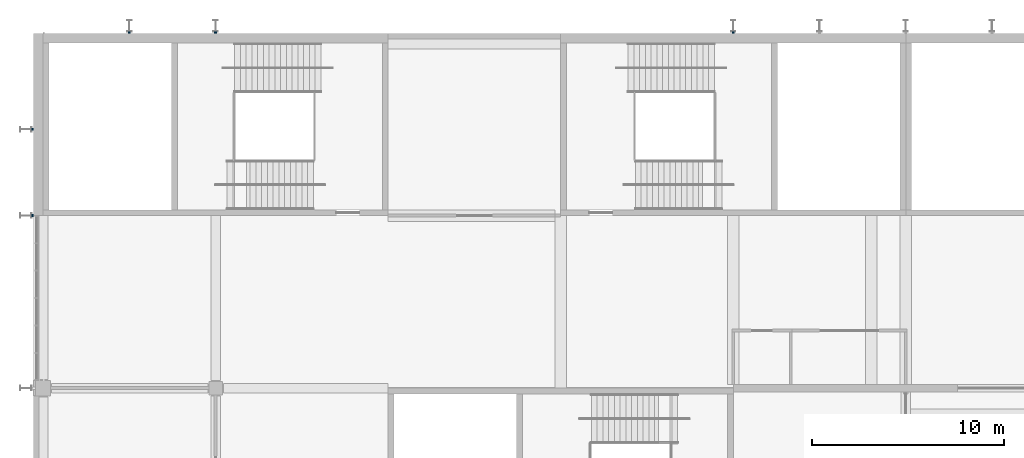
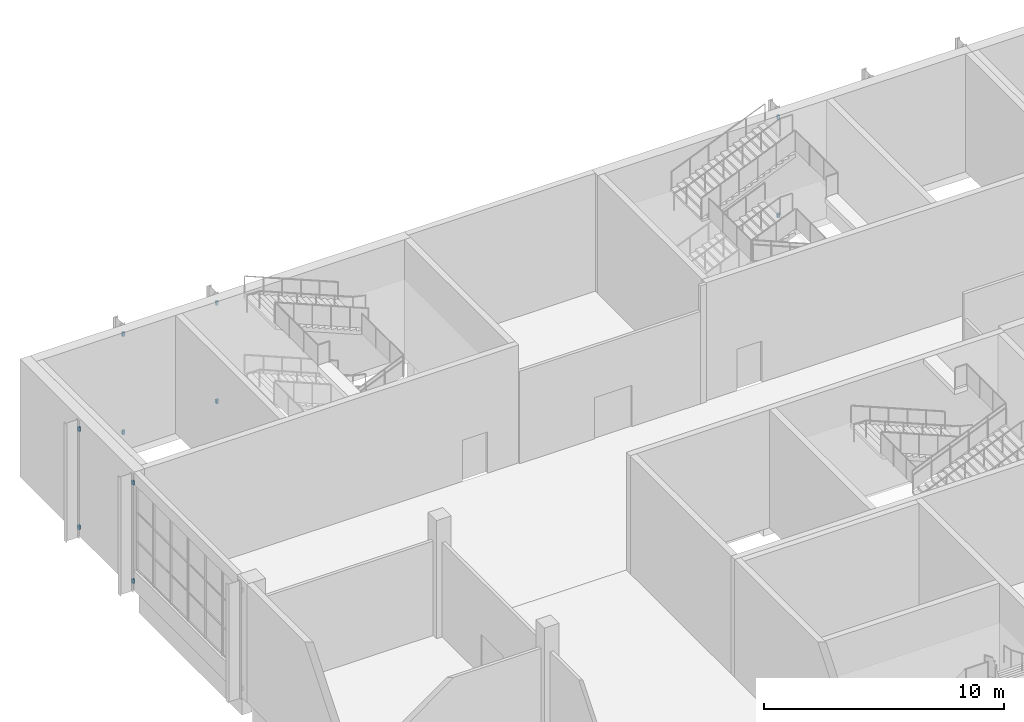
# One storey, part 63 of 89: 10 discrete accessories.
"""IFC4 building model written with IfcOpenShell, lengths in metres."""

import ifcopenshell
import ifcopenshell.guid

model = None  # the IFC model being written
_history = None  # IfcOwnerHistory: only IFC2X3 demands one
_inside = {}  # id of a spatial element -> (the spatial element, [elements in it])
_under = {}  # id of a project, library or spatial element -> (it, [spatial elements below it])
_declared = {}  # id of a project -> (the project, [libraries it declares])
_typed = {}  # id of a type object -> (the type object, [elements of that type])
_made_of = {}  # id of a material, layer set ... -> (it, [elements and type objects made of it])


def new_model(schema):
    """Start an empty IFC model of exactly this schema.

    Asked for "IFC4X3", IfcOpenShell would pick the latest addendum, in which some entities
    have other attributes; the version numbers below select the first issue.
    IFC2X3 requires an IfcOwnerHistory on every rooted entity: one is made here for all.
    """
    global model, _history
    if schema == "IFC4X3":
        model = ifcopenshell.file(schema_version=(4, 3, 0, 0))
    else:
        model = ifcopenshell.file(schema=schema)
    _inside.clear()
    _under.clear()
    _declared.clear()
    _typed.clear()
    _made_of.clear()
    _history = None
    if model.schema == "IFC2X3":
        org = make("IfcOrganization", Name="unknown")
        user = make(
            "IfcPersonAndOrganization",
            ThePerson=make("IfcPerson", FamilyName="unknown"),
            TheOrganization=org,
        )
        app = make(
            "IfcApplication",
            ApplicationDeveloper=org,
            Version="unknown",
            ApplicationFullName="unknown",
            ApplicationIdentifier="unknown",
        )
        _history = make(
            "IfcOwnerHistory",
            OwningUser=user,
            OwningApplication=app,
            ChangeAction="ADDED",
            CreationDate=0,
        )
    return model


def make(cls, **values):
    """One entity of the class cls with the attributes given. An attribute that is None is left unset."""
    return model.create_entity(
        cls, **{name: value for name, value in values.items() if value is not None}
    )


def rooted(cls, **values):
    """An entity with a GlobalId (a new one), such as an element, a storey or a relation."""
    return make(cls, GlobalId=ifcopenshell.guid.new(), OwnerHistory=_history, **values)


def si_unit(unit_type, name, prefix=None):
    """IfcSIUnit, for example si_unit("LENGTHUNIT", "METRE", prefix="MILLI")."""
    return make("IfcSIUnit", UnitType=unit_type, Prefix=prefix, Name=name)


def assignment(units):
    """IfcUnitAssignment: the units of a project."""
    return None if units is None else make("IfcUnitAssignment", Units=units)


def point(xyz):
    """IfcCartesianPoint."""
    return None if xyz is None else make("IfcCartesianPoint", Coordinates=xyz)


def direction(xyz):
    """IfcDirection."""
    return None if xyz is None else make("IfcDirection", DirectionRatios=xyz)


def frame(location, z_axis=None, x_axis=None):
    """IfcAxis2Placement3D, a coordinate frame: its origin and axes. An axis left out is left unset."""
    return make(
        "IfcAxis2Placement3D",
        Location=point(location),
        Axis=direction(z_axis),
        RefDirection=direction(x_axis),
    )


def frame_2d(location, x_axis=None):
    """IfcAxis2Placement2D, a coordinate frame in the plane: its origin and x axis."""
    return make(
        "IfcAxis2Placement2D", Location=point(location), RefDirection=direction(x_axis)
    )


def origin():
    """The frame at (0, 0, 0) with its axes left unset."""
    return frame((0.0, 0.0, 0.0))


def origin_2d():
    """The frame at (0, 0) in the plane with its x axis left unset."""
    return frame_2d((0.0, 0.0))


def place(relative_to, where):
    """IfcLocalPlacement: puts the frame where relative to a parent placement (None: the world)."""
    return make(
        "IfcLocalPlacement", PlacementRelTo=relative_to, RelativePlacement=where
    )


def context(
    kind, dimensions, precision=None, world=None, true_north=None, identifier=None
):
    """IfcGeometricRepresentationContext, for example the 3D "Model" context."""
    return make(
        "IfcGeometricRepresentationContext",
        ContextIdentifier=identifier,
        ContextType=kind,
        CoordinateSpaceDimension=dimensions,
        Precision=precision,
        WorldCoordinateSystem=world,
        TrueNorth=true_north,
    )


def subcontext(parent, identifier, kind, view, scale=None):
    """IfcGeometricRepresentationSubContext, for example "Body" below "Model"."""
    return make(
        "IfcGeometricRepresentationSubContext",
        ContextIdentifier=identifier,
        ContextType=kind,
        ParentContext=parent,
        TargetScale=scale,
        TargetView=view,
    )


def project(units=None, contexts=None):
    """IfcProject with its units and contexts."""
    return rooted(
        "IfcProject",
        Name="project",
        RepresentationContexts=contexts,
        UnitsInContext=assignment(units),
    )


def spatial(cls, under=None, at=None, **own):
    """A site, building, storey or space (cls), placed at a placement, below another one or the project."""
    s = rooted(cls, ObjectPlacement=at, **own)
    if under is not None:
        _under.setdefault(under.id(), (under, []))[1].append(s)
    return s


def profile(cls, at=None, kind="AREA", **sizes):
    """A parametric profile (cls). Its sizes go by their IFC names, for example OverallWidth=200.0."""
    return make(cls, ProfileType=kind, Position=at, **sizes)


def rectangle(**sizes):
    """IfcRectangleProfileDef."""
    return profile("IfcRectangleProfileDef", **sizes)


def extrude(swept, where, along, depth):
    """IfcExtrudedAreaSolid: the profile swept, set in the frame where, extruded along a direction by depth."""
    return make(
        "IfcExtrudedAreaSolid",
        SweptArea=swept,
        Position=where,
        ExtrudedDirection=direction(along),
        Depth=depth,
    )


def shape(context_of_items, identifier, shape_type, items):
    """IfcShapeRepresentation: the items that make up one representation, for example the "Body"."""
    return make(
        "IfcShapeRepresentation",
        ContextOfItems=context_of_items,
        RepresentationIdentifier=identifier,
        RepresentationType=shape_type,
        Items=items,
    )


def material(Name=None, Category=None):
    """IfcMaterial."""
    return make("IfcMaterial", Name=Name, Category=Category)


def made_of(thing, what):
    """Note that an element or type object is made of a material, layer set ...; save() writes the relation."""
    if what is not None:
        _made_of.setdefault(what.id(), (what, []))[1].append(thing)
    return thing


def type_object(cls, material=None, **own):
    """A type object (cls), such as IfcWallType, which elements share."""
    return made_of(rooted(cls, **own), material)


def element(
    cls,
    number,
    at=None,
    inside=None,
    cuts=None,
    type_object=None,
    material=None,
    context=None,
    identifier="Body",
    shape_type=None,
    held_by="IfcProductDefinitionShape",
    body=None,
    shapes=None,
    **own,
):
    """One element of the class cls, such as IfcWall. Its Tag is "e" and its number.

    at: its placement. inside: the storey or other place that contains it. cuts: it is an
    opening in that element (IfcRelVoidsElement). A single representation is given by context,
    identifier, shape_type and body (its items); several are given by shapes. held_by: the class
    of the entity that holds the representations. save() writes the other relations.
    """
    e = rooted(cls, Tag="e%d" % number, ObjectPlacement=at, **own)
    if body is not None:
        shapes = [shape(context, identifier, shape_type, body)]
    if shapes is not None:
        e.Representation = make(held_by, Representations=shapes)
    if inside is not None:
        _inside.setdefault(inside.id(), (inside, []))[1].append(e)
    if cuts is not None:
        rooted(
            "IfcRelVoidsElement", RelatingBuildingElement=cuts, RelatedOpeningElement=e
        )
    if type_object is not None:
        _typed.setdefault(type_object.id(), (type_object, []))[1].append(e)
    return made_of(e, material)


def aggregate(whole, parts):
    """IfcRelAggregates: a whole, such as a stair, and the parts it consists of."""
    return rooted("IfcRelAggregates", RelatingObject=whole, RelatedObjects=parts)


def save(model, path):
    """Write the relations noted so far, then the file.

    IfcRelAggregates (storeys below a building ...), IfcRelContainedInSpatialStructure (elements
    in a storey), IfcRelDefinesByType, IfcRelAssociatesMaterial and IfcRelDeclares: one each for
    every whole, place, type object, material and project.
    """
    for whole, parts in _under.values():
        aggregate(whole, parts)
    for where, things in _inside.values():
        rooted(
            "IfcRelContainedInSpatialStructure",
            RelatedElements=things,
            RelatingStructure=where,
        )
    for kind, things in _typed.values():
        rooted("IfcRelDefinesByType", RelatedObjects=things, RelatingType=kind)
    for what, things in _made_of.values():
        rooted("IfcRelAssociatesMaterial", RelatedObjects=things, RelatingMaterial=what)
    for by, libraries in _declared.values():
        rooted("IfcRelDeclares", RelatingContext=by, RelatedDefinitions=libraries)
    model.write(path)


model = new_model("IFC4")

# Units and contexts
model_context = context("Model", 3, precision=1e-05, world=origin(), true_north=direction((0.0, 1.0)))
body_context = subcontext(model_context, "Body", "Model", "MODEL_VIEW")
ifc_project = project(units=[si_unit("LENGTHUNIT", "METRE"), si_unit("AREAUNIT", "SQUARE_METRE"), si_unit("VOLUMEUNIT", "CUBIC_METRE"), si_unit("PLANEANGLEUNIT", "RADIAN"), si_unit("MASSUNIT", "GRAM", prefix="KILO")], contexts=[model_context])

# Site, building, storey
site_placement = place(None, origin())
site = spatial("IfcSite", under=ifc_project, at=site_placement, CompositionType="ELEMENT")
building_placement = place(site_placement, origin())
building = spatial("IfcBuilding", under=site, at=building_placement, Name="Silverbay Arena", CompositionType="ELEMENT")
storey_placement = place(building_placement, frame((0.0, 0.0, 22.0)))
storey = spatial("IfcBuildingStorey", under=building, at=storey_placement, Name="L03", CompositionType="ELEMENT", Elevation=22.0)

# Discrete accessories
ifc_material = material(Name="Steel S355", Category="steel")
discrete_accessory_type = type_object("IfcDiscreteAccessoryType", Name="Steel bracket plate", PredefinedType="BRACKET", material=ifc_material)
for number, where, z_axis, x_axis, name in (
    (1, (58.5, 144.550048828125, 0.39990234375), (0.0, 0.0, 1.0), (1.0, 0.0, 0.0), "Fin bracket"),
    (2, (58.5, 144.550048828125, 5.39990234375), (0.0, 0.0, 1.0), (1.0, 0.0, 0.0), "Fin bracket"),
    (3, (63.0, 144.550048828125, 0.39990234375), (0.0, 0.0, 1.0), (1.0, 0.0, 0.0), "Fin bracket"),
    (4, (63.0, 144.550048828125, 5.39990234375), (0.0, 0.0, 1.0), (1.0, 0.0, 0.0), "Fin bracket"),
    (5, (90.0, 144.550048828125, 0.39990234375), (0.0, 0.0, 1.0), (1.0, 0.0, 0.0), "Fin bracket"),
    (6, (90.0, 144.550048828125, 5.39990234375), (0.0, 0.0, 1.0), (1.0, 0.0, 0.0), "Fin bracket"),
):
    element("IfcDiscreteAccessory", number, at=place(storey_placement, frame(where, z_axis=z_axis, x_axis=x_axis)), inside=storey, type_object=discrete_accessory_type, Name=name, PredefinedType="BRACKET", context=body_context, shape_type="SweptSolid", body=[
        extrude(rectangle(XDim=0.1201171875, YDim=0.10009765625, at=origin_2d()), origin(), (0.0, 0.0, 1.0), 0.199951171875),
    ])
for number, where, z_axis, x_axis, name in (
    (7, (53.449951171875, 135.0, 0.39990234375), (0.0, 0.0, 1.0), (1.0, 0.0, 0.0), "Fin bracket"),
    (8, (53.449951171875, 135.0, 5.39990234375), (0.0, 0.0, 1.0), (1.0, 0.0, 0.0), "Fin bracket"),
    (9, (53.449951171875, 139.5, 0.39990234375), (0.0, 0.0, 1.0), (1.0, 0.0, 0.0), "Fin bracket"),
    (10, (53.449951171875, 139.5, 5.39990234375), (0.0, 0.0, 1.0), (1.0, 0.0, 0.0), "Fin bracket"),
):
    element("IfcDiscreteAccessory", number, at=place(storey_placement, frame(where, z_axis=z_axis, x_axis=x_axis)), inside=storey, type_object=discrete_accessory_type, Name=name, PredefinedType="BRACKET", context=body_context, shape_type="SweptSolid", body=[
        extrude(rectangle(XDim=0.10009765625, YDim=0.1201171875, at=origin_2d()), origin(), (0.0, 0.0, 1.0), 0.199951171875),
    ])

save(model, "model.ifc")
